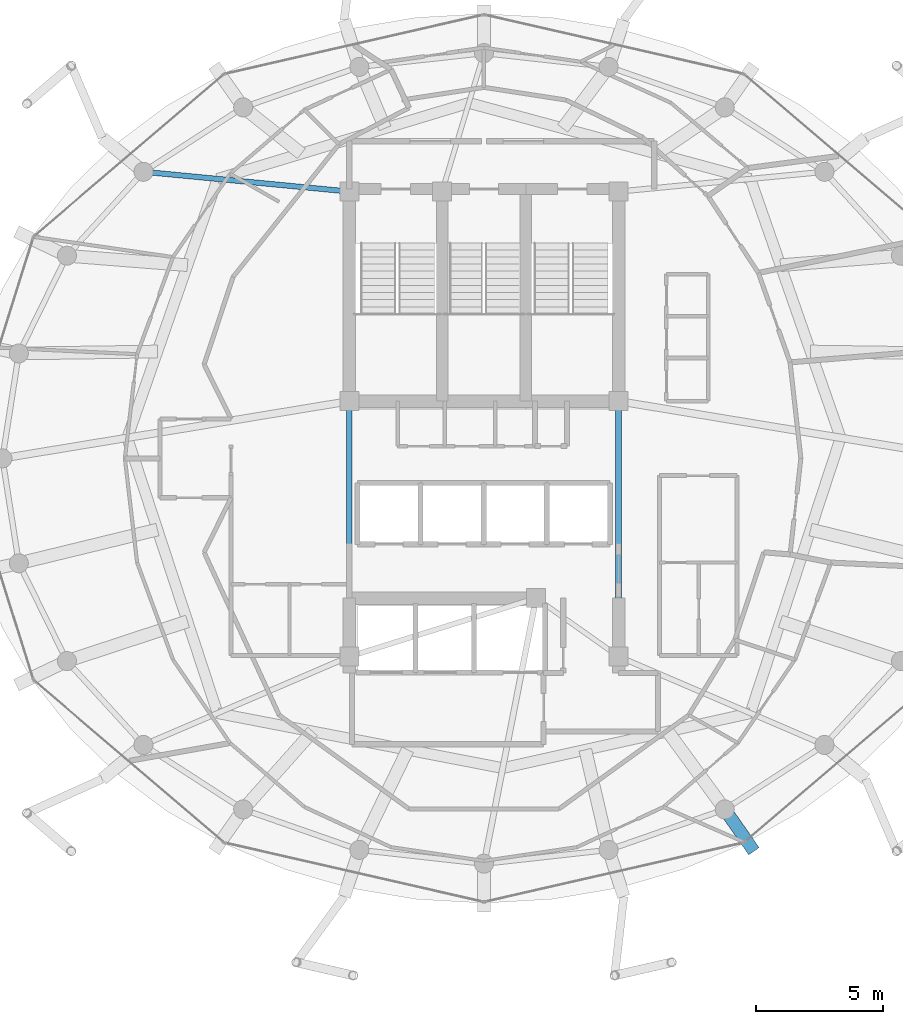
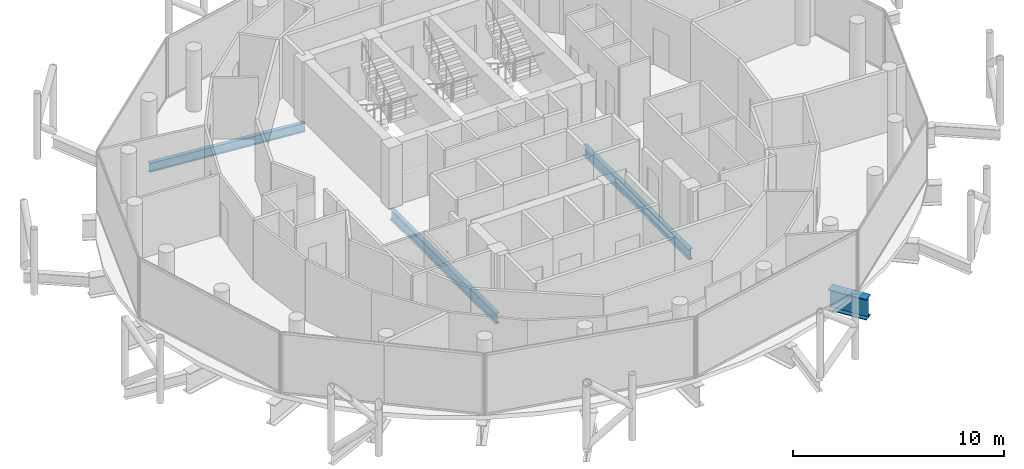
# One storey, part 9 of 25: 4 beams.
"""IFC4 building model written with IfcOpenShell, lengths in metres."""

from ifc_helpers import new_model, si_unit, direction, frame, origin, origin_2d, place, context, subcontext, project, spatial, i_section, extrude, material, material_profile, profile_set, type_object, element, save


model = new_model("IFC4")

# Units and contexts
model_context = context("Model", 3, precision=1e-05, world=origin(), true_north=direction((0.0, 1.0)))
body_context = subcontext(model_context, "Body", "Model", "MODEL_VIEW")
ifc_project = project(units=[si_unit("LENGTHUNIT", "METRE"), si_unit("AREAUNIT", "SQUARE_METRE"), si_unit("VOLUMEUNIT", "CUBIC_METRE"), si_unit("PLANEANGLEUNIT", "RADIAN"), si_unit("MASSUNIT", "GRAM", prefix="KILO")], contexts=[model_context])

# Site, building, storey
site_placement = place(None, origin())
site = spatial("IfcSite", under=ifc_project, at=site_placement, CompositionType="ELEMENT")
building_placement = place(site_placement, origin())
building = spatial("IfcBuilding", under=site, at=building_placement, Name="Nuhasar Tower", CompositionType="ELEMENT")
storey_placement = place(building_placement, frame((0.0, 0.0, 255.60009765625)))
storey = spatial("IfcBuildingStorey", under=building, at=storey_placement, Name="L63", CompositionType="ELEMENT", Elevation=255.60009765625)

# Beams
ifc_material_1 = material(Name="Steel S355", Category="steel")
ifc_material_profile_1 = material_profile(ifc_material_1, i_section(OverallWidth=0.208984375, OverallDepth=0.528076171875, WebThickness=0.009521484375, FlangeThickness=0.01318359375, at=origin_2d()), Name="W21X55")
ifc_profile_set_1 = profile_set([ifc_material_profile_1], Name="Steel S355")
beam_type_1 = type_object("IfcBeamType", Name="BM-RAD-W21X55", PredefinedType="BEAM", material=ifc_profile_set_1)
beam_1_placement = place(storey_placement, frame((33.699951171875, 37.300048828125, -0.524169921875), z_axis=(-0.99542073054, 0.095590633496, 0.0), x_axis=(-0.095590633496, -0.99542073054, 0.0)))
element("IfcBeam", 1, at=beam_1_placement, inside=storey, type_object=beam_type_1, Name="L63 Radial Floor Girder 07", PredefinedType="BEAM", context=body_context, shape_type="SweptSolid", body=[
    extrude(i_section(OverallWidth=0.208984375, OverallDepth=0.528076171875, WebThickness=0.009521484375, FlangeThickness=0.01318359375, at=origin_2d()), origin(), (0.0, 0.0, 1.0), 8.13720703125),
])
ifc_material_profile_2 = material_profile(ifc_material_1, i_section(OverallWidth=0.22900390625, OverallDepth=0.612060546875, WebThickness=0.011962890625, FlangeThickness=0.01953125, at=origin_2d()), Name="W24X84")
ifc_profile_set_2 = profile_set([ifc_material_profile_2], Name="Steel S355")
beam_type_2 = type_object("IfcBeamType", Name="BM-RAD-W24X84", PredefinedType="BEAM", material=ifc_profile_set_2)
for number, where, z_axis, x_axis, name in (
    (2, (44.300048828125, 19.0, -0.566162109375), (0.0, 1.0, 0.0), (-1.0, 0.0, 0.0), "L63 Core Ring Girder 3"),
    (3, (33.699951171875, 29.050048828125, -0.566162109375), (0.0, -1.0, 0.0), (1.0, 0.0, 0.0), "L63 Core Ring Girder 8"),
):
    element("IfcBeam", number, at=place(storey_placement, frame(where, z_axis=z_axis, x_axis=x_axis)), inside=storey, type_object=beam_type_2, Name=name, PredefinedType="BEAM", context=body_context, shape_type="SweptSolid", body=[
        extrude(i_section(OverallWidth=0.22900390625, OverallDepth=0.612060546875, WebThickness=0.011962890625, FlangeThickness=0.01953125, at=origin_2d()), origin(), (0.0, 0.0, 1.0), 10.050048828125),
    ])
ifc_material_2 = material(Name="Steel S460", Category="steel")
ifc_material_profile_3 = material_profile(ifc_material_2, i_section(OverallWidth=0.5, OverallDepth=1.199951171875, WebThickness=0.02587890625, FlangeThickness=0.044921875, at=origin_2d()), Name="PG1200X500")
ifc_profile_set_3 = profile_set([ifc_material_profile_3], Name="Steel S460")
beam_type_3 = type_object("IfcBeamType", Name="BM-XFER-PG1200", PredefinedType="USERDEFINED", material=ifc_profile_set_3)
beam_2_placement = place(storey_placement, frame((48.47509765625, 12.987060546875, -0.860107421875), z_axis=(0.57269500694, -0.819768521612, 0.0), x_axis=(0.819768521612, 0.57269500694, 0.0)))
element("IfcBeam", 4, at=beam_2_placement, inside=storey, type_object=beam_type_3, Name="L63 Outer Column Step Transfer Girder 21", ObjectType="GIRDER", PredefinedType="USERDEFINED", context=body_context, shape_type="SweptSolid", body=[
    extrude(i_section(OverallWidth=0.5, OverallDepth=1.199951171875, WebThickness=0.02587890625, FlangeThickness=0.044921875, at=origin_2d()), origin(), (0.0, 0.0, 1.0), 2.0078125),
])

save(model, "model.ifc")
